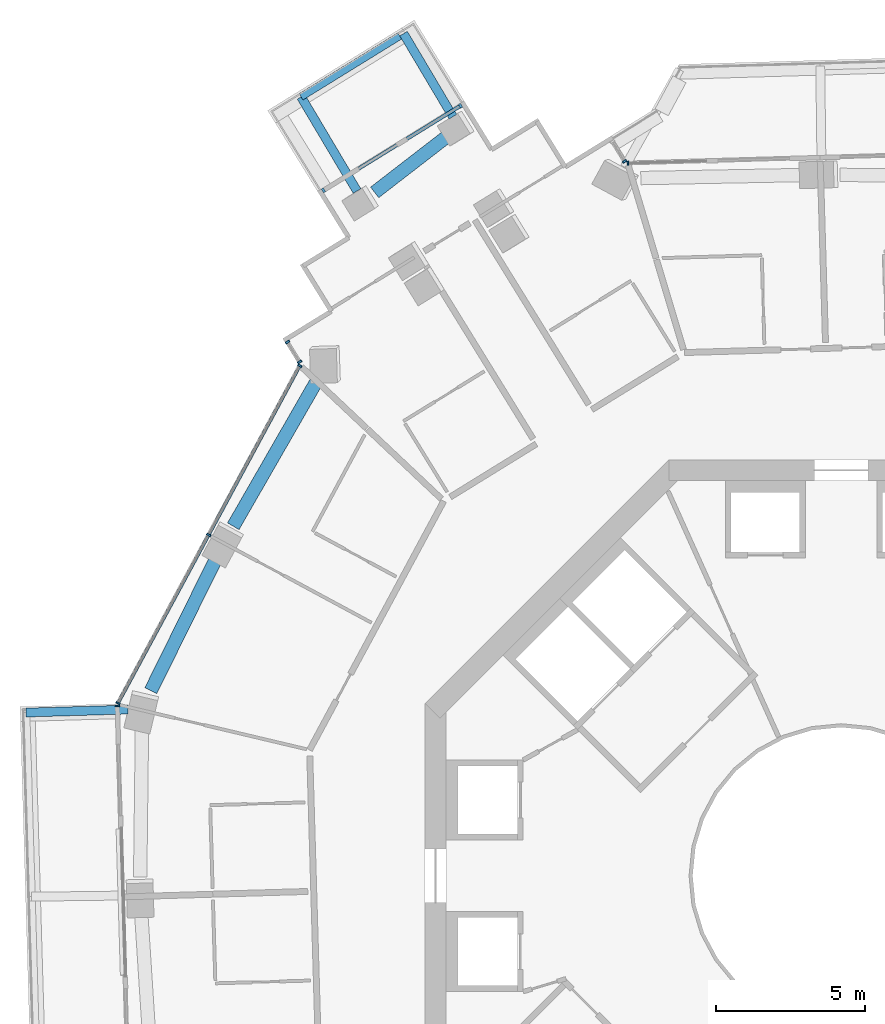
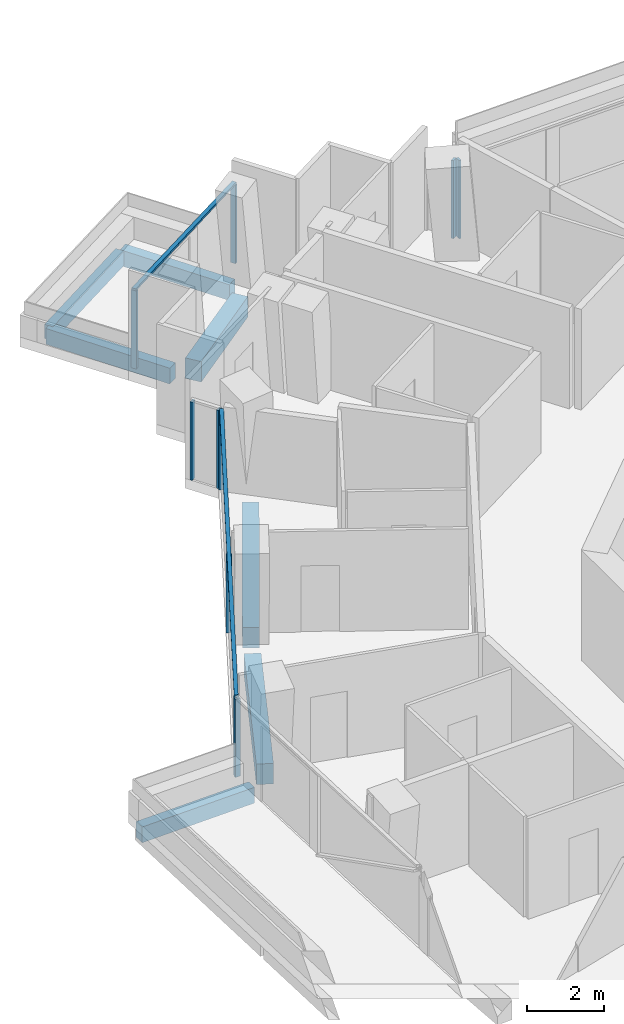
# One storey, part 7 of 22: 12 members, 7 beams, 6 elements without a shape of their own.
"""IFC4 building model written with IfcOpenShell, lengths in metres."""

from ifc_helpers import new_model, si_unit, direction, frame, origin, origin_2d, place, context, subcontext, project, spatial, rectangle, extrude, material, layer, layer_set, material_profile, profile_set, type_object, element, aggregate, save


model = new_model("IFC4")

# Units and contexts
model_context = context("Model", 3, precision=1e-05, world=origin(), true_north=direction((0.0, 1.0)))
body_context = subcontext(model_context, "Body", "Model", "MODEL_VIEW")
ifc_project = project(units=[si_unit("LENGTHUNIT", "METRE"), si_unit("AREAUNIT", "SQUARE_METRE"), si_unit("VOLUMEUNIT", "CUBIC_METRE"), si_unit("PLANEANGLEUNIT", "RADIAN"), si_unit("MASSUNIT", "GRAM", prefix="KILO")], contexts=[model_context])

# Site, building, storey
site_placement = place(None, origin())
site = spatial("IfcSite", under=ifc_project, at=site_placement, CompositionType="ELEMENT")
building_placement = place(site_placement, origin())
building = spatial("IfcBuilding", under=site, at=building_placement, Name="Verdalira Terraces Hotel", CompositionType="ELEMENT")
storey_placement = place(building_placement, frame((0.0, 0.0, 162.0)))
storey = spatial("IfcBuildingStorey", under=building, at=storey_placement, Name="L39", CompositionType="ELEMENT", Elevation=162.0)

# Beams
ifc_material_1 = material(Name="Concrete C40", Category="concrete")
ifc_material_profile_1 = material_profile(ifc_material_1, rectangle(XDim=0.300049, YDim=0.5, at=origin_2d()), Name="RC 300X500")
ifc_profile_set_1 = profile_set([ifc_material_profile_1], Name="Concrete C40")
beam_type_1 = type_object("IfcBeamType", Name="Balcony cantilever beam RC 300X500 C40", PredefinedType="BEAM", material=ifc_profile_set_1)
beam_1_placement = place(storey_placement, frame((-13.066406, 25.549561, -0.560059), z_axis=(-0.510828198, 0.85968282, 0.0), x_axis=(-0.85968282, -0.510828198, 0.0)))
element("IfcBeam", 1, at=beam_1_placement, inside=storey, type_object=beam_type_1, Name="Balcony cantilever beam R05-1", PredefinedType="BEAM", context=body_context, shape_type="SweptSolid", body=[
    extrude(rectangle(XDim=0.300049, YDim=0.5, at=origin_2d()), origin(), (0.0, 0.0, 1.0), 3.25415),
])
beam_2_placement = place(storey_placement, frame((-16.293945, 23.047607, -0.560059), z_axis=(-0.510830845, 0.859681248, 0.0), x_axis=(-0.859681248, -0.510830845, 0.0)))
element("IfcBeam", 2, at=beam_2_placement, inside=storey, type_object=beam_type_1, Name="Balcony cantilever beam R05-2", PredefinedType="BEAM", context=body_context, shape_type="SweptSolid", body=[
    extrude(rectangle(XDim=0.300049, YDim=0.5, at=origin_2d()), origin(), (0.0, 0.0, 1.0), 3.688232),
])
beam_3_placement = place(storey_placement, frame((-24.001221, 5.594971, -0.560059), z_axis=(-0.999570272, -0.029313328, 0.0), x_axis=(0.029313328, -0.999570272, 0.0)))
element("IfcBeam", 3, at=beam_3_placement, inside=storey, type_object=beam_type_1, Name="Balcony cantilever beam R12-3", PredefinedType="BEAM", context=body_context, shape_type="SweptSolid", body=[
    extrude(rectangle(XDim=0.300049, YDim=0.5, at=origin_2d()), origin(), (0.0, 0.0, 1.0), 3.431396),
])
ifc_material_2 = material(Name="Concrete C40", Category="concrete")
ifc_material_profile_2 = material_profile(ifc_material_2, rectangle(XDim=0.25, YDim=0.449951, at=origin_2d()), Name="RC 250X450")
ifc_profile_set_2 = profile_set([ifc_material_profile_2], Name="Concrete C40")
beam_type_2 = type_object("IfcBeamType", Name="Balcony edge beam RC 250X450 C40", PredefinedType="BEAM", material=ifc_profile_set_2)
beam_4_placement = place(storey_placement, frame((-14.856445, 28.268311, -0.534912), z_axis=(-0.850968208, -0.525217202, 0.0), x_axis=(0.525217202, -0.850968208, 0.0)))
element("IfcBeam", 4, at=beam_4_placement, inside=storey, type_object=beam_type_2, Name="Balcony edge beam R05-1", PredefinedType="BEAM", context=body_context, shape_type="SweptSolid", body=[
    extrude(rectangle(XDim=0.25, YDim=0.449951, at=origin_2d()), origin(), (0.0, 0.0, 1.0), 3.90332),
])

# Curtain wall, members
ifc_material_3 = material(Name="Clear glass", Category="glass")
ifc_layer_1 = layer(ifc_material_3, 0.14990234375)
ifc_layer_set_1 = layer_set([ifc_layer_1], Name="CW1 curtain wall")
curtain_wall_type_1 = type_object("IfcCurtainWallType", Name="CW1 curtain wall", PredefinedType="NOTDEFINED", material=ifc_layer_set_1)
curtain_wall_1_placement = place(storey_placement, origin())
curtain_wall_1 = element("IfcCurtainWall", 5, at=curtain_wall_1_placement, inside=storey, type_object=curtain_wall_type_1, Name="CW1 curtain wall L39 edge 11", PredefinedType="NOTDEFINED")
ifc_material_4 = material(Name="Terracotta frame", Category="masonry")
ifc_material_profile_3 = material_profile(ifc_material_4, rectangle(XDim=0.060059, YDim=0.149902, at=origin_2d()), Name="MU 60x150")
ifc_profile_set_3 = profile_set([ifc_material_profile_3], Name="Terracotta frame")
member_type_1 = type_object("IfcMemberType", Name="CW1 mullion 60x150", PredefinedType="MULLION", material=ifc_profile_set_3)
member_1_placement = place(storey_placement, frame((-18.219482, 17.167969, 0.0), z_axis=(0.0, 0.0, 1.0), x_axis=(-0.474395525, -0.880311812, 0.0)))
member_1 = element("IfcMember", 6, at=member_1_placement, type_object=member_type_1, Name="CW1 mullion", PredefinedType="MULLION", context=body_context, shape_type="SweptSolid", body=[
    extrude(rectangle(XDim=0.060059, YDim=0.149902, at=origin_2d()), origin(), (0.0, 0.0, 1.0), 2.475098),
])
member_2_placement = place(storey_placement, frame((-21.288818, 11.472412, 0.0), z_axis=(0.0, 0.0, 1.0), x_axis=(-0.474395525, -0.880311812, 0.0)))
member_2 = element("IfcMember", 7, at=member_2_placement, type_object=member_type_1, Name="CW1 mullion", PredefinedType="MULLION", context=body_context, shape_type="SweptSolid", body=[
    extrude(rectangle(XDim=0.060059, YDim=0.149902, at=origin_2d()), origin(), (0.0, 0.0, 1.0), 2.475098),
])
member_3_placement = place(storey_placement, frame((-24.339111, 5.812256, 0.0), z_axis=(0.0, 0.0, 1.0), x_axis=(-0.474395525, -0.880311812, 0.0)))
member_3 = element("IfcMember", 8, at=member_3_placement, type_object=member_type_1, Name="CW1 mullion", PredefinedType="MULLION", context=body_context, shape_type="SweptSolid", body=[
    extrude(rectangle(XDim=0.060059, YDim=0.149902, at=origin_2d()), origin(), (0.0, 0.0, 1.0), 2.475098),
])

# Curtain wall, member
curtain_wall_2_placement = place(storey_placement, origin())
curtain_wall_2 = element("IfcCurtainWall", 9, at=curtain_wall_2_placement, inside=storey, type_object=curtain_wall_type_1, Name="CW1 curtain wall L39 edge 12", PredefinedType="NOTDEFINED")
member_4_placement = place(storey_placement, frame((-24.361328, 5.718018, 0.0), z_axis=(0.0, 0.0, 1.0), x_axis=(0.02931733, -0.999570155, 0.0)))
member_4 = element("IfcMember", 10, at=member_4_placement, type_object=member_type_1, Name="CW1 mullion", PredefinedType="MULLION", context=body_context, shape_type="SweptSolid", body=[
    extrude(rectangle(XDim=0.060059, YDim=0.149902, at=origin_2d()), origin(), (0.0, 0.0, 1.0), 2.475098),
])
aggregate(curtain_wall_2, [member_4])

curtain_wall_3_placement = place(storey_placement, origin())
curtain_wall_3 = element("IfcCurtainWall", 11, at=curtain_wall_3_placement, inside=storey, type_object=curtain_wall_type_1, Name="CW1 curtain wall L39 edge 41", PredefinedType="NOTDEFINED")
member_5_placement = place(storey_placement, frame((-7.17627, 23.983154, 0.0), z_axis=(0.0, 0.0, 1.0), x_axis=(-0.999570155, -0.02931733, 0.0)))
member_5 = element("IfcMember", 12, at=member_5_placement, type_object=member_type_1, Name="CW1 mullion", PredefinedType="MULLION", context=body_context, shape_type="SweptSolid", body=[
    extrude(rectangle(XDim=0.060059, YDim=0.149902, at=origin_2d()), origin(), (0.0, 0.0, 1.0), 2.475098),
])
aggregate(curtain_wall_3, [member_5])

# Member
ifc_material_5 = material(Name="Terracotta frame", Category="masonry")
ifc_material_profile_4 = material_profile(ifc_material_5, rectangle(XDim=0.110107, YDim=0.064941, at=origin_2d()), Name="TR 65x110")
ifc_profile_set_4 = profile_set([ifc_material_profile_4], Name="Terracotta frame")
member_type_2 = type_object("IfcMemberType", Name="CW1 transom 65x110", PredefinedType="USERDEFINED", material=ifc_profile_set_4)
member_6_placement = place(storey_placement, frame((-18.205322, 17.19458, 2.507568), z_axis=(-0.474387385, -0.880316198, 0.0), x_axis=(0.880316198, -0.474387385, 0.0)))
member_6 = element("IfcMember", 13, at=member_6_placement, type_object=member_type_2, Name="CW1 transom", ObjectType="TRANSOM", PredefinedType="USERDEFINED", context=body_context, shape_type="SweptSolid", body=[
    extrude(rectangle(XDim=0.110107, YDim=0.064941, at=origin_2d()), origin(), (0.0, 0.0, 1.0), 12.959717),
])

aggregate(curtain_wall_1, [member_1, member_2, member_3, member_6])

# Curtain wall, member
ifc_material_6 = material(Name="Clear glass", Category="glass")
ifc_layer_2 = layer(ifc_material_6, 0.14990234375)
ifc_layer_set_2 = layer_set([ifc_layer_2], Name="CW2 curtain wall")
curtain_wall_type_2 = type_object("IfcCurtainWallType", Name="CW2 curtain wall", PredefinedType="NOTDEFINED", material=ifc_layer_set_2)
curtain_wall_4_placement = place(storey_placement, origin())
curtain_wall_4 = element("IfcCurtainWall", 14, at=curtain_wall_4_placement, inside=storey, type_object=curtain_wall_type_2, Name="CW2 curtain wall L39 edge 0", PredefinedType="NOTDEFINED")
ifc_material_7 = material(Name="Terracotta frame", Category="masonry")
ifc_material_profile_5 = material_profile(ifc_material_7, rectangle(XDim=0.070068, YDim=0.149902, at=origin_2d()), Name="MU 70x150")
ifc_profile_set_5 = profile_set([ifc_material_profile_5], Name="Terracotta frame")
member_type_3 = type_object("IfcMemberType", Name="CW2 mullion 70x150", PredefinedType="MULLION", material=ifc_profile_set_5)
member_7_placement = place(storey_placement, frame((-7.290527, 24.047852, 0.0), z_axis=(0.0, 0.0, 1.0), x_axis=(-0.52517463, 0.850994482, 0.0)))
member_7 = element("IfcMember", 15, at=member_7_placement, type_object=member_type_3, Name="CW2 mullion", PredefinedType="MULLION", context=body_context, shape_type="SweptSolid", body=[
    extrude(rectangle(XDim=0.070068, YDim=0.149902, at=origin_2d()), origin(), (0.0, 0.0, 1.0), 2.475098),
])
aggregate(curtain_wall_4, [member_7])

# Curtain wall, members
curtain_wall_5_placement = place(storey_placement, origin())
curtain_wall_5 = element("IfcCurtainWall", 16, at=curtain_wall_5_placement, inside=storey, type_object=curtain_wall_type_2, Name="CW2 curtain wall L39 edge 10", PredefinedType="NOTDEFINED")
member_8_placement = place(storey_placement, frame((-18.635498, 17.963135, 0.0), z_axis=(0.0, 0.0, 1.0), x_axis=(0.52517463, -0.850994482, 0.0)))
member_8 = element("IfcMember", 17, at=member_8_placement, type_object=member_type_3, Name="CW2 mullion", PredefinedType="MULLION", context=body_context, shape_type="SweptSolid", body=[
    extrude(rectangle(XDim=0.070068, YDim=0.149902, at=origin_2d()), origin(), (0.0, 0.0, 1.0), 2.475098),
])
member_9_placement = place(storey_placement, frame((-18.22583, 17.299316, 0.0), z_axis=(0.0, 0.0, 1.0), x_axis=(0.52517463, -0.850994482, 0.0)))
member_9 = element("IfcMember", 18, at=member_9_placement, type_object=member_type_3, Name="CW2 mullion", PredefinedType="MULLION", context=body_context, shape_type="SweptSolid", body=[
    extrude(rectangle(XDim=0.070068, YDim=0.149902, at=origin_2d()), origin(), (0.0, 0.0, 1.0), 2.475098),
])
aggregate(curtain_wall_5, [member_8, member_9])

ifc_material_8 = material(Name="Clear glass", Category="glass")
ifc_layer_3 = layer(ifc_material_8, 0.14990234375)
ifc_layer_set_3 = layer_set([ifc_layer_3], Name="CW3 curtain wall")
curtain_wall_type_3 = type_object("IfcCurtainWallType", Name="CW3 curtain wall", PredefinedType="NOTDEFINED", material=ifc_layer_set_3)
curtain_wall_6_placement = place(storey_placement, origin())
curtain_wall_6 = element("IfcCurtainWall", 19, at=curtain_wall_6_placement, inside=storey, type_object=curtain_wall_type_3, Name="CW3 curtain wall L39 edge 5", PredefinedType="NOTDEFINED")
ifc_material_9 = material(Name="Terracotta frame", Category="masonry")
ifc_material_profile_6 = material_profile(ifc_material_9, rectangle(XDim=0.080078, YDim=0.149902, at=origin_2d()), Name="MU 80x150")
ifc_profile_set_6 = profile_set([ifc_material_profile_6], Name="Terracotta frame")
member_type_4 = type_object("IfcMemberType", Name="CW3 mullion 80x150", PredefinedType="MULLION", material=ifc_profile_set_6)
member_10_placement = place(storey_placement, frame((-12.810059, 25.917725, 0.0), z_axis=(0.0, 0.0, 1.0), x_axis=(-0.850994482, -0.52517463, 0.0)))
member_10 = element("IfcMember", 20, at=member_10_placement, type_object=member_type_4, Name="CW3 mullion", PredefinedType="MULLION", context=body_context, shape_type="SweptSolid", body=[
    extrude(rectangle(XDim=0.080078, YDim=0.149902, at=origin_2d()), origin(), (0.0, 0.0, 1.0), 2.475098),
])
member_11_placement = place(storey_placement, frame((-17.422363, 23.071289, 0.0), z_axis=(0.0, 0.0, 1.0), x_axis=(-0.850994482, -0.52517463, 0.0)))
member_11 = element("IfcMember", 21, at=member_11_placement, type_object=member_type_4, Name="CW3 mullion", PredefinedType="MULLION", context=body_context, shape_type="SweptSolid", body=[
    extrude(rectangle(XDim=0.080078, YDim=0.149902, at=origin_2d()), origin(), (0.0, 0.0, 1.0), 2.475098),
])
ifc_material_10 = material(Name="Terracotta frame", Category="masonry")
ifc_material_profile_7 = material_profile(ifc_material_10, rectangle(XDim=0.120117, YDim=0.064941, at=origin_2d()), Name="TR 65x120")
ifc_profile_set_7 = profile_set([ifc_material_profile_7], Name="Terracotta frame")
member_type_5 = type_object("IfcMemberType", Name="CW3 transom 65x120", PredefinedType="USERDEFINED", material=ifc_profile_set_7)
member_12_placement = place(storey_placement, frame((-12.776123, 25.938721, 2.507568), z_axis=(-0.850994648, -0.525174361, 0.0), x_axis=(0.525174361, -0.850994648, 0.0)))
member_12 = element("IfcMember", 22, at=member_12_placement, type_object=member_type_5, Name="CW3 transom", ObjectType="TRANSOM", PredefinedType="USERDEFINED", context=body_context, shape_type="SweptSolid", body=[
    extrude(rectangle(XDim=0.120117, YDim=0.064941, at=origin_2d()), origin(), (0.0, 0.0, 1.0), 5.5),
])
aggregate(curtain_wall_6, [member_10, member_11, member_12])

# Beams
ifc_material_11 = material(Name="Concrete C50", Category="concrete")
ifc_material_profile_8 = material_profile(ifc_material_11, rectangle(XDim=0.449951, YDim=0.649902, at=origin_2d()), Name="RC 450X650")
ifc_profile_set_8 = profile_set([ifc_material_profile_8], Name="Concrete C50")
beam_type_3 = type_object("IfcBeamType", Name="Spandrel beam RC 450X650 C50", PredefinedType="SPANDREL", material=ifc_profile_set_8)
beam_5_placement = place(storey_placement, frame((-13.175293, 24.952881, -0.63501), z_axis=(-0.791328726, -0.611390912, 0.0), x_axis=(0.611390912, -0.791328726, 0.0)))
element("IfcBeam", 23, at=beam_5_placement, inside=storey, type_object=beam_type_3, Name="Spandrel beam B01", PredefinedType="SPANDREL", context=body_context, shape_type="SweptSolid", body=[
    extrude(rectangle(XDim=0.449951, YDim=0.649902, at=origin_2d()), origin(), (0.0, 0.0, 1.0), 3.192627),
])
beam_6_placement = place(storey_placement, frame((-17.632812, 16.682373, -0.63501), z_axis=(-0.498339293, -0.866982093, 0.0), x_axis=(0.866982093, -0.498339293, 0.0)))
element("IfcBeam", 24, at=beam_6_placement, inside=storey, type_object=beam_type_3, Name="Spandrel beam B02", PredefinedType="SPANDREL", context=body_context, shape_type="SweptSolid", body=[
    extrude(rectangle(XDim=0.449951, YDim=0.649902, at=origin_2d()), origin(), (0.0, 0.0, 1.0), 5.671631),
])
beam_7_placement = place(storey_placement, frame((-21.012939, 10.726807, -0.63501), z_axis=(-0.443058759, -0.896492575, 0.0), x_axis=(0.896492575, -0.443058759, 0.0)))
element("IfcBeam", 25, at=beam_7_placement, inside=storey, type_object=beam_type_3, Name="Spandrel beam B03", PredefinedType="SPANDREL", context=body_context, shape_type="SweptSolid", body=[
    extrude(rectangle(XDim=0.449951, YDim=0.649902, at=origin_2d()), origin(), (0.0, 0.0, 1.0), 5.012207),
])

save(model, "model.ifc")
